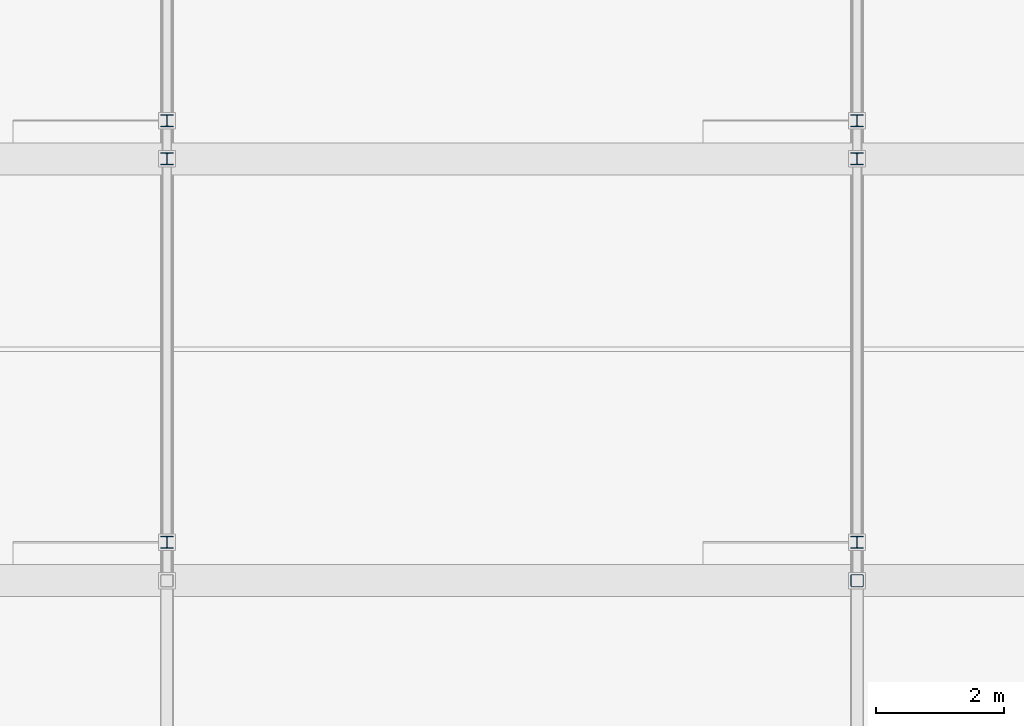
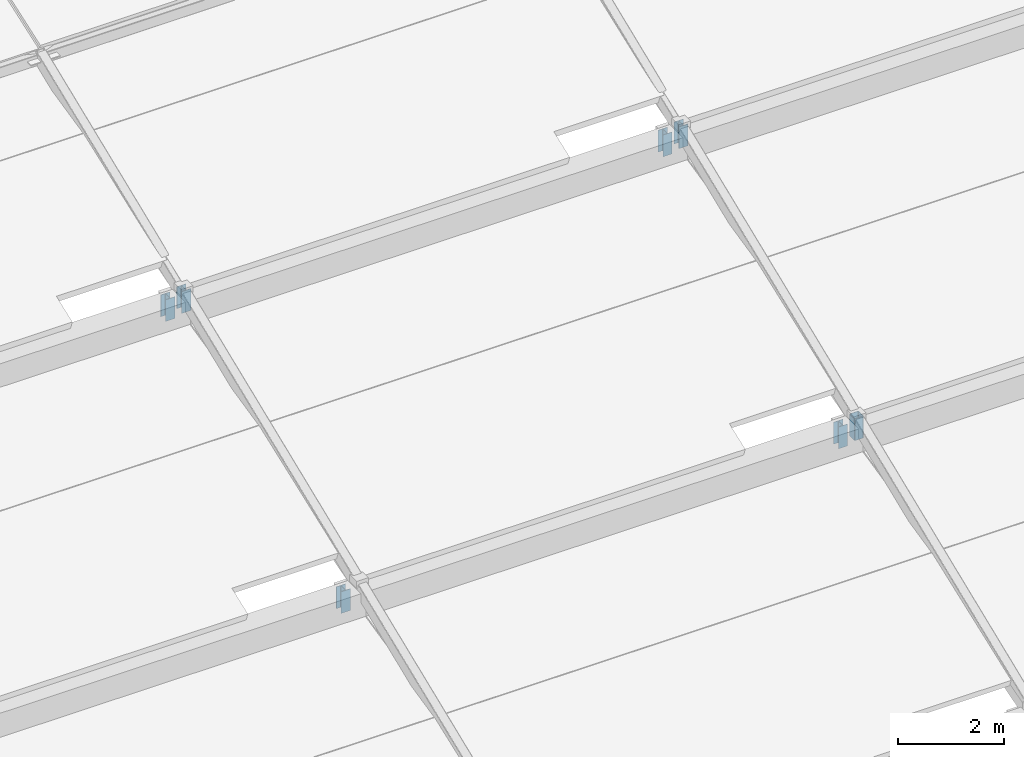
# One storey, part 87 of 112: 7 members.
"""IFC4 building model written with IfcOpenShell, lengths in metres."""

from ifc_helpers import new_model, si_unit, direction, frame, origin, origin_2d, place, context, subcontext, project, spatial, hollow_rectangle, i_section, extrude, material, material_profile, profile_set, type_object, element, save


model = new_model("IFC4")

# Units and contexts
model_context = context("Model", 3, precision=1e-05, world=origin(), true_north=direction((0.0, 1.0)))
body_context = subcontext(model_context, "Body", "Model", "MODEL_VIEW")
ifc_project = project(units=[si_unit("LENGTHUNIT", "METRE"), si_unit("AREAUNIT", "SQUARE_METRE"), si_unit("VOLUMEUNIT", "CUBIC_METRE"), si_unit("PLANEANGLEUNIT", "RADIAN"), si_unit("MASSUNIT", "GRAM", prefix="KILO")], contexts=[model_context])

# Site, building, storey
site_placement = place(None, origin())
site = spatial("IfcSite", under=ifc_project, at=site_placement, CompositionType="ELEMENT")
building_placement = place(site_placement, origin())
building = spatial("IfcBuilding", under=site, at=building_placement, Name="Zwinboog Wholesale Market", CompositionType="ELEMENT")
storey_placement = place(building_placement, frame((0.0, 0.0, 19.080078125)))
storey = spatial("IfcBuildingStorey", under=building, at=storey_placement, Name="Roof", CompositionType="ELEMENT", Elevation=19.080078125)

# Members
ifc_material = material(Name="Steel S355", Category="steel")
ifc_material_profile_1 = material_profile(ifc_material, hollow_rectangle(XDim=0.199951171875, YDim=0.199951171875, WallThickness=0.010009765625, InnerFilletRadius=0.010009765625, OuterFilletRadius=0.02001953125, at=origin_2d()), Name="SHS 200x200x10")
ifc_profile_set_1 = profile_set([ifc_material_profile_1], Name="Steel S355")
member_type_1 = type_object("IfcMemberType", Name="MT-04", PredefinedType="BRACE", material=ifc_profile_set_1)
member_placement = place(storey_placement, frame((140.39990234375, 56.39990234375, -4.630126953125), z_axis=(0.0, 0.0, 1.0), x_axis=(1.0, 0.0, 0.0)))
element("IfcMember", 1, at=member_placement, inside=storey, type_object=member_type_1, Name="DB-01 (MEM-Roof-0218)", PredefinedType="BRACE", context=body_context, shape_type="SweptSolid", body=[
    extrude(hollow_rectangle(XDim=0.199951171875, YDim=0.199951171875, WallThickness=0.010009765625, InnerFilletRadius=0.010009765625, OuterFilletRadius=0.02001953125, at=origin_2d()), origin(), (0.0, 0.0, 1.0), 0.5),
])
ifc_material_profile_2 = material_profile(ifc_material, i_section(OverallWidth=0.199951171875, OverallDepth=0.18994140625, WebThickness=0.006591796875, FlangeThickness=0.010009765625, FilletRadius=0.01806640625, at=origin_2d()), Name="HEA 200")
ifc_profile_set_2 = profile_set([ifc_material_profile_2], Name="Steel S355")
member_type_2 = type_object("IfcMemberType", Name="MT-05", PredefinedType="BRACE", material=ifc_profile_set_2)
for number, where, z_axis, x_axis, name in (
    (2, (129.60009765625, 57.0, -5.18017578125), (0.0, 0.0, 1.0), (1.0, 0.0, 0.0), "DB-02 (MEM-Roof-0186)"),
    (3, (129.60009765625, 63.60009765625, -2.47998046875), (0.0, 0.0, 1.0), (1.0, 0.0, 0.0), "DB-02 (MEM-Roof-0189)"),
    (4, (129.60009765625, 63.0, -1.93017578125), (0.0, 0.0, 1.0), (1.0, 0.0, 0.0), "DB-02 (MEM-Roof-0191)"),
    (5, (140.39990234375, 57.0, -5.18017578125), (0.0, 0.0, 1.0), (1.0, 0.0, 0.0), "DB-02 (MEM-Roof-0216)"),
    (6, (140.39990234375, 63.60009765625, -2.47998046875), (0.0, 0.0, 1.0), (1.0, 0.0, 0.0), "DB-02 (MEM-Roof-0219)"),
    (7, (140.39990234375, 63.0, -1.93017578125), (0.0, 0.0, 1.0), (1.0, 0.0, 0.0), "DB-02 (MEM-Roof-0221)"),
):
    element("IfcMember", number, at=place(storey_placement, frame(where, z_axis=z_axis, x_axis=x_axis)), inside=storey, type_object=member_type_2, Name=name, PredefinedType="BRACE", context=body_context, shape_type="SweptSolid", body=[
        extrude(i_section(OverallWidth=0.199951171875, OverallDepth=0.18994140625, WebThickness=0.006591796875, FlangeThickness=0.010009765625, FilletRadius=0.01806640625, at=origin_2d()), origin(), (0.0, 0.0, 1.0), 0.5),
    ])

save(model, "model.ifc")
